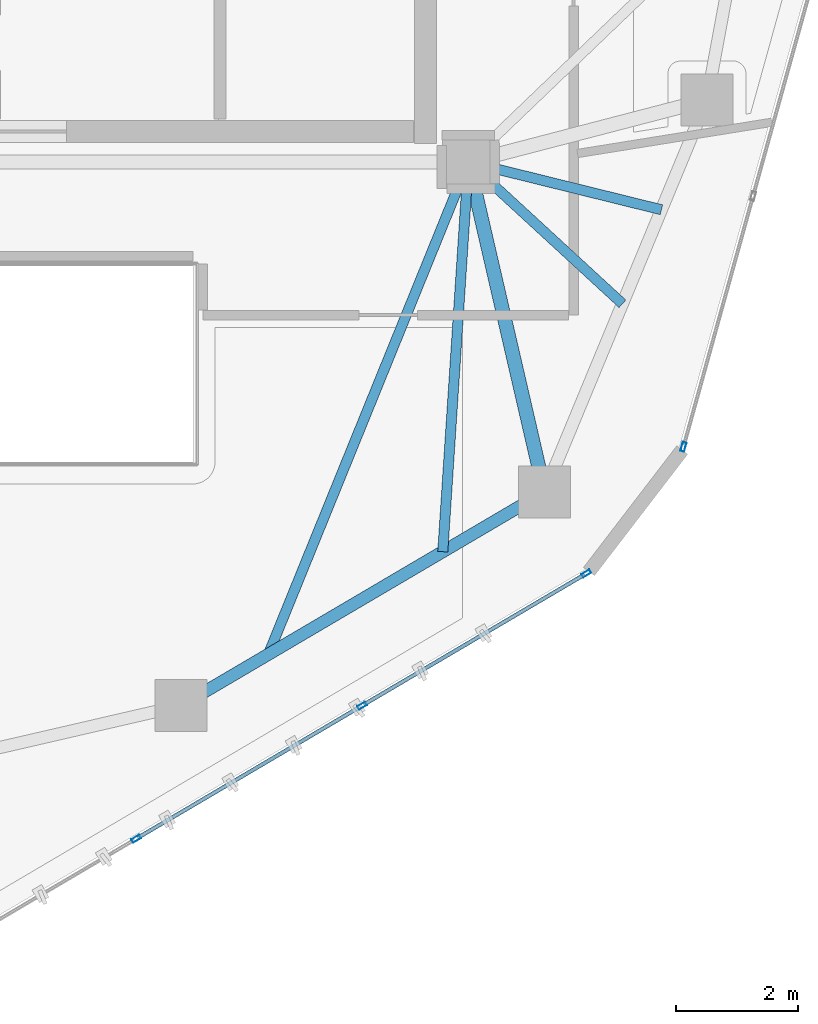
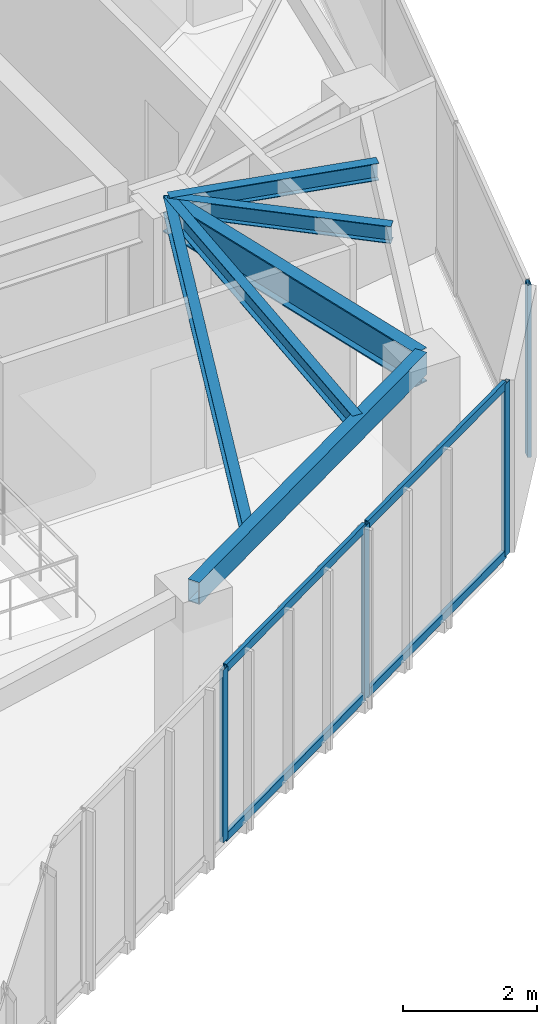
# One storey, part 6 of 20: 8 members, 6 beams, 2 elements without a shape of their own.
"""IFC4 building model written with IfcOpenShell, lengths in metres."""

from ifc_helpers import new_model, si_unit, direction, frame, origin, origin_2d, place, context, subcontext, project, spatial, hollow_rectangle, i_section, extrude, source, transform, mapped, material, layer, layer_set, material_profile, profile_set, type_object, type_shapes, element, aggregate, save


model = new_model("IFC4")

# Units and contexts
model_context = context("Model", 3, precision=1e-05, world=origin(), true_north=direction((0.0, 1.0)))
body_context = subcontext(model_context, "Body", "Model", "MODEL_VIEW")
ifc_project = project(units=[si_unit("LENGTHUNIT", "METRE"), si_unit("AREAUNIT", "SQUARE_METRE"), si_unit("VOLUMEUNIT", "CUBIC_METRE"), si_unit("PLANEANGLEUNIT", "RADIAN"), si_unit("MASSUNIT", "GRAM", prefix="KILO")], contexts=[model_context])

# Site, building, storey
site_placement = place(None, origin())
site = spatial("IfcSite", under=ifc_project, at=site_placement, CompositionType="ELEMENT")
building_placement = place(site_placement, origin())
building = spatial("IfcBuilding", under=site, at=building_placement, Name="Talar Marvaseh", CompositionType="ELEMENT")
storey_placement = place(building_placement, frame((0.0, 0.0, 254.39990234375)))
storey = spatial("IfcBuildingStorey", under=building, at=storey_placement, Name="L67", CompositionType="ELEMENT", Elevation=254.39990234375)

# Beams
ifc_material_1 = material(Name="Steel S355", Category="steel")
ifc_material_profile_1 = material_profile(ifc_material_1, hollow_rectangle(XDim=0.199951171875, YDim=0.39990234375, WallThickness=0.013916015625, at=origin_2d()), Name="RHS400x200x14")
ifc_profile_set_1 = profile_set([ifc_material_profile_1], Name="Steel S355")
beam_type_1 = type_object("IfcBeamType", Name="Zone 3 Perimeter Spandrel Beam RHS400x200x14", PredefinedType="SPANDREL", material=ifc_profile_set_1)
beam_1_placement = place(storey_placement, frame((34.5439453125, 20.111083984375, 2.940185546875), z_axis=(-0.861894136287, -0.507088254482, 0.0), x_axis=(0.507088254482, -0.861894136287, 0.0)))
element("IfcBeam", 1, at=beam_1_placement, inside=storey, type_object=beam_type_1, Name="L67 Zone 3 Perimeter Spandrel Beam RHS400x200x14", PredefinedType="SPANDREL", context=body_context, shape_type="SweptSolid", body=[
    extrude(hollow_rectangle(XDim=0.199951171875, YDim=0.39990234375, WallThickness=0.013916015625, at=origin_2d()), origin(), (0.0, 0.0, 1.0), 6.890625),
])
ifc_material_profile_2 = material_profile(ifc_material_1, i_section(OverallWidth=0.166015625, OverallDepth=0.31298828125, WebThickness=0.006591796875, FlangeThickness=0.01123046875, at=origin_2d()), Name="W310x45")
ifc_profile_set_2 = profile_set([ifc_material_profile_2], Name="Steel S355")
beam_type_2 = type_object("IfcBeamType", Name="Zone 3 Secondary Floor Joist W310x45", PredefinedType="JOIST", material=ifc_profile_set_2)
beam_2_placement = place(storey_placement, frame((36.4541015625, 24.72119140625, 2.983642578125), z_axis=(-0.970841284349, 0.239723174942, 0.0), x_axis=(-0.239723174942, -0.970841284349, 0.0)))
element("IfcBeam", 2, at=beam_2_placement, inside=storey, type_object=beam_type_2, Name="L67 Zone 3 Secondary Floor Joist W310x45", PredefinedType="JOIST", context=body_context, shape_type="SweptSolid", body=[
    extrude(i_section(OverallWidth=0.166015625, OverallDepth=0.31298828125, WebThickness=0.006591796875, FlangeThickness=0.01123046875, at=origin_2d()), origin(), (0.0, 0.0, 1.0), 3.248779296875),
])
beam_3_placement = place(storey_placement, frame((35.8173828125, 23.184326171875, 2.983642578125), z_axis=(-0.735970843201, 0.677013233223, 0.0), x_axis=(-0.677013233223, -0.735970843201, 0.0)))
element("IfcBeam", 3, at=beam_3_placement, inside=storey, type_object=beam_type_2, Name="L67 Zone 3 Secondary Floor Joist W310x45", PredefinedType="JOIST", context=body_context, shape_type="SweptSolid", body=[
    extrude(i_section(OverallWidth=0.166015625, OverallDepth=0.31298828125, WebThickness=0.006591796875, FlangeThickness=0.01123046875, at=origin_2d()), origin(), (0.0, 0.0, 1.0), 3.42041015625),
])
beam_4_placement = place(storey_placement, frame((32.881103515625, 19.1328125, 2.983642578125), z_axis=(0.065655577597, 0.997842344827, 0.0), x_axis=(-0.997842344827, 0.065655577597, 0.0)))
element("IfcBeam", 4, at=beam_4_placement, inside=storey, type_object=beam_type_2, Name="L67 Zone 3 Secondary Floor Joist W310x45", PredefinedType="JOIST", context=body_context, shape_type="SweptSolid", body=[
    extrude(i_section(OverallWidth=0.166015625, OverallDepth=0.31298828125, WebThickness=0.006591796875, FlangeThickness=0.01123046875, at=origin_2d()), origin(), (0.0, 0.0, 1.0), 6.380859375),
])
beam_5_placement = place(storey_placement, frame((30.030517578125, 17.45556640625, 2.983642578125), z_axis=(0.37652334678, 0.92640712936, 0.0), x_axis=(-0.92640712936, 0.37652334678, 0.0)))
element("IfcBeam", 5, at=beam_5_placement, inside=storey, type_object=beam_type_2, Name="L67 Zone 3 Secondary Floor Joist W310x45", PredefinedType="JOIST", context=body_context, shape_type="SweptSolid", body=[
    extrude(i_section(OverallWidth=0.166015625, OverallDepth=0.31298828125, WebThickness=0.006591796875, FlangeThickness=0.01123046875, at=origin_2d()), origin(), (0.0, 0.0, 1.0), 8.68359375),
])
ifc_material_profile_3 = material_profile(ifc_material_1, i_section(OverallWidth=0.22998046875, OverallDepth=0.616943359375, WebThickness=0.01318359375, FlangeThickness=0.022216796875, at=origin_2d()), Name="W610x140")
ifc_profile_set_3 = profile_set([ifc_material_profile_3], Name="Steel S355")
beam_type_3 = type_object("IfcBeamType", Name="Zone 4 Radial Floor Girder W610x140", PredefinedType="BEAM", material=ifc_profile_set_3)
beam_6_placement = place(storey_placement, frame((34.5439453125, 20.111083984375, 2.83154296875), z_axis=(-0.22491108979, 0.974379290466, 0.0), x_axis=(-0.974379290466, -0.22491108979, 0.0)))
element("IfcBeam", 6, at=beam_6_placement, inside=storey, type_object=beam_type_3, Name="L67 Zone 4 Radial Floor Girder W610x140", PredefinedType="BEAM", context=body_context, shape_type="SweptSolid", body=[
    extrude(i_section(OverallWidth=0.22998046875, OverallDepth=0.616943359375, WebThickness=0.01318359375, FlangeThickness=0.022216796875, at=origin_2d()), origin(), (0.0, 0.0, 1.0), 5.530517578125),
])

# Curtain wall, members
ifc_material_2 = material(Name="Architectural Aluminium", Category="aluminium")
ifc_layer = layer(ifc_material_2, 0.179931640625)
ifc_layer_set = layer_set([ifc_layer], Name="Architectural Aluminium")
curtain_wall_type = type_object("IfcCurtainWallType", Name="Unitised High-Wind Sky Curtain Wall Z4", PredefinedType="NOTDEFINED", material=ifc_layer_set)
curtain_wall_1_placement = place(storey_placement, origin())
curtain_wall_1 = element("IfcCurtainWall", 7, at=curtain_wall_1_placement, inside=storey, type_object=curtain_wall_type, Name="L67 Unitised High-Wind Sky Curtain Wall Z4", PredefinedType="NOTDEFINED")
ifc_material_profile_4 = material_profile(ifc_material_2, hollow_rectangle(XDim=0.06494140625, YDim=0.14990234375, WallThickness=0.00390625, at=origin_2d()), Name="RHS150x65x4")
ifc_profile_set_4 = profile_set([ifc_material_profile_4], Name="Architectural Aluminium")
member_type_1 = type_object("IfcMemberType", Name="Unitised Curtain Wall Slim Transom RHS150x65x4", PredefinedType="USERDEFINED", material=ifc_profile_set_4)
shared_shape_1 = source(origin(), body_context, "Body", "SweptSolid", [
    extrude(hollow_rectangle(XDim=0.06494140625, YDim=0.14990234375, WallThickness=0.00390625, at=origin_2d()), origin(), (0.0, 0.0, 1.0), 4.188720703125),
])
member_1_placement = place(storey_placement, frame((35.19873046875, 18.76025390625, 0.03271484375), z_axis=(-0.86155940179, -0.507656771045, 0.0), x_axis=(0.507656771045, -0.86155940179, 0.0)))
member_1 = element("IfcMember", 8, at=member_1_placement, type_object=member_type_1, Name="CW-Z4 transom 1.1", ObjectType="TRANSOM", PredefinedType="USERDEFINED", context=body_context, shape_type="MappedRepresentation", body=[
    mapped(shared_shape_1, transform((0.0, 0.0, 0.0), x_axis=(1.0, 0.0, 0.0), y_axis=(0.0, 1.0, 0.0), z_axis=(0.0, 0.0, 1.0), scale=1.0)),
])
member_2_placement = place(storey_placement, frame((35.19873046875, 18.76025390625, 3.107666015625), z_axis=(-0.86155940179, -0.507656771045, 0.0), x_axis=(0.507656771045, -0.86155940179, 0.0)))
member_2 = element("IfcMember", 9, at=member_2_placement, type_object=member_type_1, Name="CW-Z4 transom 1.2", ObjectType="TRANSOM", PredefinedType="USERDEFINED", context=body_context, shape_type="MappedRepresentation", body=[
    mapped(shared_shape_1, transform((0.0, 0.0, 0.0), x_axis=(1.0, 0.0, 0.0), y_axis=(0.0, 1.0, 0.0), z_axis=(0.0, 0.0, 1.0), scale=1.0)),
])

# Curtain wall, member
curtain_wall_2_placement = place(storey_placement, origin())
curtain_wall_2 = element("IfcCurtainWall", 10, at=curtain_wall_2_placement, inside=storey, type_object=curtain_wall_type, Name="L67 Unitised High-Wind Sky Curtain Wall Z4", PredefinedType="NOTDEFINED")
ifc_material_profile_5 = material_profile(ifc_material_2, hollow_rectangle(XDim=0.06494140625, YDim=0.14990234375, WallThickness=0.00390625, at=origin_2d()), Name="RHS150x65x4")
ifc_profile_set_5 = profile_set([ifc_material_profile_5], Name="Architectural Aluminium")
member_type_2 = type_object("IfcMemberType", Name="Unitised Curtain Wall Slim Mullion RHS150x65x4", PredefinedType="MULLION", material=ifc_profile_set_5)
shared_shape_2 = source(origin(), body_context, "Body", "SweptSolid", [
    extrude(hollow_rectangle(XDim=0.06494140625, YDim=0.14990234375, WallThickness=0.00390625, at=origin_2d()), origin(), (0.0, 0.0, 1.0), 3.14013671875),
])
type_shapes(member_type_2, [shared_shape_2])
member_3_placement = place(storey_placement, frame((36.814208984375, 20.845458984375, 0.0), z_axis=(0.0, 0.0, 1.0), x_axis=(0.963588318835, -0.267390261237, 0.0)))
member_3 = element("IfcMember", 11, at=member_3_placement, type_object=member_type_2, Name="CW-Z4 mullion 5", PredefinedType="MULLION", context=body_context, shape_type="MappedRepresentation", body=[
    mapped(shared_shape_2, transform((0.0, 0.0, 0.0), x_axis=(1.0, 0.0, 0.0), y_axis=(0.0, 1.0, 0.0), z_axis=(0.0, 0.0, 1.0), scale=1.0)),
])
aggregate(curtain_wall_2, [member_3])

# Member
member_4_placement = place(storey_placement, frame((35.226806640625, 18.776611328125, 0.0), z_axis=(0.0, 0.0, 1.0), x_axis=(0.507671743815, -0.861550579207, 0.0)))
member_4 = element("IfcMember", 12, at=member_4_placement, type_object=member_type_2, Name="CW-Z4 mullion 1", PredefinedType="MULLION", context=body_context, shape_type="MappedRepresentation", body=[
    mapped(shared_shape_2, transform((0.0, 0.0, 0.0), x_axis=(1.0, 0.0, 0.0), y_axis=(0.0, 1.0, 0.0), z_axis=(0.0, 0.0, 1.0), scale=1.0)),
])

member_5_placement = place(storey_placement, frame((31.56201171875, 16.6171875, 0.0), z_axis=(0.0, 0.0, 1.0), x_axis=(0.507671743815, -0.861550579207, 0.0)))
member_5 = element("IfcMember", 13, at=member_5_placement, type_object=member_type_2, Name="CW-Z4 mullion 2", PredefinedType="MULLION", context=body_context, shape_type="MappedRepresentation", body=[
    mapped(shared_shape_2, transform((0.0, 0.0, 0.0), x_axis=(1.0, 0.0, 0.0), y_axis=(0.0, 1.0, 0.0), z_axis=(0.0, 0.0, 1.0), scale=1.0)),
])

member_6_placement = place(storey_placement, frame((27.869140625, 14.441162109375, 0.0), z_axis=(0.0, 0.0, 1.0), x_axis=(0.507671743815, -0.861550579207, 0.0)))
member_6 = element("IfcMember", 14, at=member_6_placement, type_object=member_type_2, Name="CW-Z4 mullion 3", PredefinedType="MULLION", context=body_context, shape_type="MappedRepresentation", body=[
    mapped(shared_shape_2, transform((0.0, 0.0, 0.0), x_axis=(1.0, 0.0, 0.0), y_axis=(0.0, 1.0, 0.0), z_axis=(0.0, 0.0, 1.0), scale=1.0)),
])

shared_shape_3 = source(origin(), body_context, "Body", "SweptSolid", [
    extrude(hollow_rectangle(XDim=0.06494140625, YDim=0.14990234375, WallThickness=0.00390625, at=origin_2d()), origin(), (0.0, 0.0, 1.0), 4.220947265625),
])
type_shapes(member_type_1, [shared_shape_1, shared_shape_3])
member_7_placement = place(storey_placement, frame((31.533935546875, 16.6005859375, 0.03271484375), z_axis=(-0.861563758866, -0.507649376448, 0.0), x_axis=(0.507649376448, -0.861563758866, 0.0)))
member_7 = element("IfcMember", 15, at=member_7_placement, type_object=member_type_1, Name="CW-Z4 transom 2.1", ObjectType="TRANSOM", PredefinedType="USERDEFINED", context=body_context, shape_type="MappedRepresentation", body=[
    mapped(shared_shape_3, transform((0.0, 0.0, 0.0), x_axis=(1.0, 0.0, 0.0), y_axis=(0.0, 1.0, 0.0), z_axis=(0.0, 0.0, 1.0), scale=1.0)),
])

member_8_placement = place(storey_placement, frame((31.533935546875, 16.6005859375, 3.107666015625), z_axis=(-0.861563758866, -0.507649376448, 0.0), x_axis=(0.507649376448, -0.861563758866, 0.0)))
member_8 = element("IfcMember", 16, at=member_8_placement, type_object=member_type_1, Name="CW-Z4 transom 2.2", ObjectType="TRANSOM", PredefinedType="USERDEFINED", context=body_context, shape_type="MappedRepresentation", body=[
    mapped(shared_shape_3, transform((0.0, 0.0, 0.0), x_axis=(1.0, 0.0, 0.0), y_axis=(0.0, 1.0, 0.0), z_axis=(0.0, 0.0, 1.0), scale=1.0)),
])

aggregate(curtain_wall_1, [member_4, member_5, member_6, member_1, member_2, member_7, member_8])

save(model, "model.ifc")
